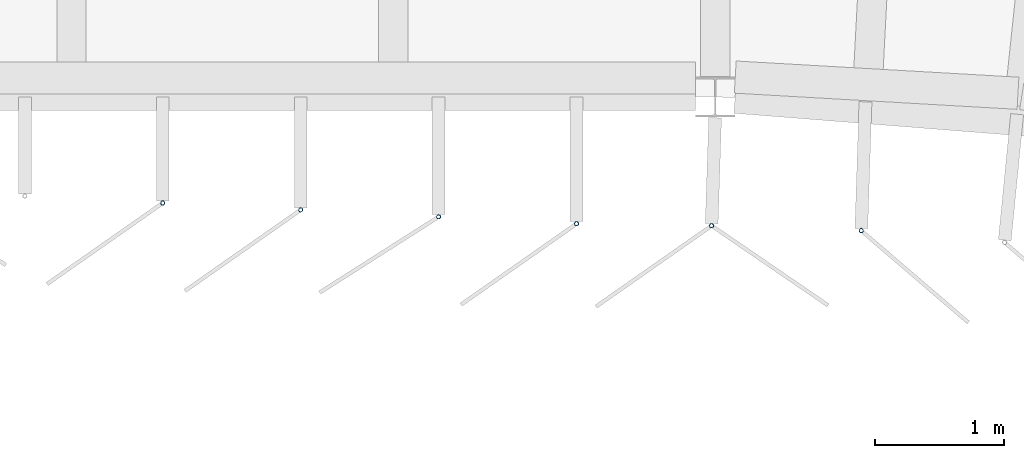
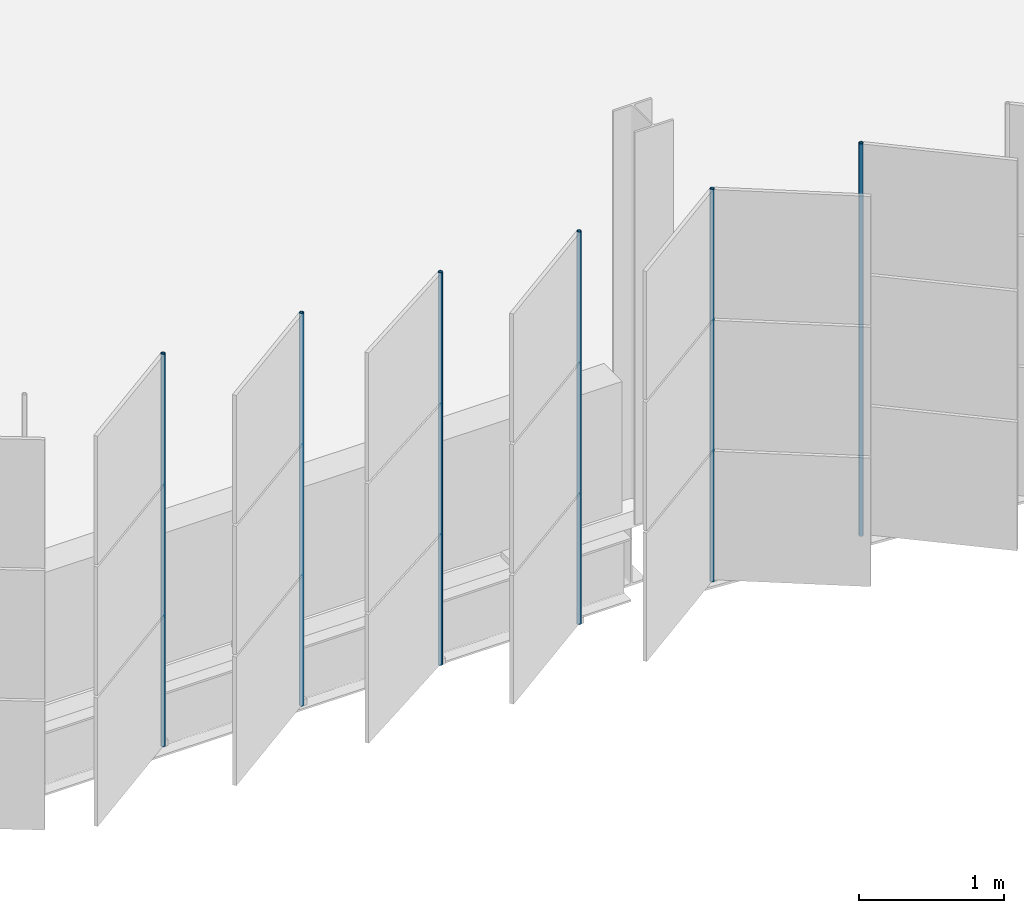
# One storey, part 123 of 214: 6 discrete accessories.
"""IFC4 building model written with IfcOpenShell, lengths in metres."""

import ifcopenshell
import ifcopenshell.guid

model = None  # the IFC model being written
_history = None  # IfcOwnerHistory: only IFC2X3 demands one
_inside = {}  # id of a spatial element -> (the spatial element, [elements in it])
_under = {}  # id of a project, library or spatial element -> (it, [spatial elements below it])
_declared = {}  # id of a project -> (the project, [libraries it declares])
_typed = {}  # id of a type object -> (the type object, [elements of that type])
_made_of = {}  # id of a material, layer set ... -> (it, [elements and type objects made of it])


def new_model(schema):
    """Start an empty IFC model of exactly this schema.

    Asked for "IFC4X3", IfcOpenShell would pick the latest addendum, in which some entities
    have other attributes; the version numbers below select the first issue.
    IFC2X3 requires an IfcOwnerHistory on every rooted entity: one is made here for all.
    """
    global model, _history
    if schema == "IFC4X3":
        model = ifcopenshell.file(schema_version=(4, 3, 0, 0))
    else:
        model = ifcopenshell.file(schema=schema)
    _inside.clear()
    _under.clear()
    _declared.clear()
    _typed.clear()
    _made_of.clear()
    _history = None
    if model.schema == "IFC2X3":
        org = make("IfcOrganization", Name="unknown")
        user = make(
            "IfcPersonAndOrganization",
            ThePerson=make("IfcPerson", FamilyName="unknown"),
            TheOrganization=org,
        )
        app = make(
            "IfcApplication",
            ApplicationDeveloper=org,
            Version="unknown",
            ApplicationFullName="unknown",
            ApplicationIdentifier="unknown",
        )
        _history = make(
            "IfcOwnerHistory",
            OwningUser=user,
            OwningApplication=app,
            ChangeAction="ADDED",
            CreationDate=0,
        )
    return model


def make(cls, **values):
    """One entity of the class cls with the attributes given. An attribute that is None is left unset."""
    return model.create_entity(
        cls, **{name: value for name, value in values.items() if value is not None}
    )


def rooted(cls, **values):
    """An entity with a GlobalId (a new one), such as an element, a storey or a relation."""
    return make(cls, GlobalId=ifcopenshell.guid.new(), OwnerHistory=_history, **values)


def si_unit(unit_type, name, prefix=None):
    """IfcSIUnit, for example si_unit("LENGTHUNIT", "METRE", prefix="MILLI")."""
    return make("IfcSIUnit", UnitType=unit_type, Prefix=prefix, Name=name)


def assignment(units):
    """IfcUnitAssignment: the units of a project."""
    return None if units is None else make("IfcUnitAssignment", Units=units)


def point(xyz):
    """IfcCartesianPoint."""
    return None if xyz is None else make("IfcCartesianPoint", Coordinates=xyz)


def direction(xyz):
    """IfcDirection."""
    return None if xyz is None else make("IfcDirection", DirectionRatios=xyz)


def frame(location, z_axis=None, x_axis=None):
    """IfcAxis2Placement3D, a coordinate frame: its origin and axes. An axis left out is left unset."""
    return make(
        "IfcAxis2Placement3D",
        Location=point(location),
        Axis=direction(z_axis),
        RefDirection=direction(x_axis),
    )


def frame_2d(location, x_axis=None):
    """IfcAxis2Placement2D, a coordinate frame in the plane: its origin and x axis."""
    return make(
        "IfcAxis2Placement2D", Location=point(location), RefDirection=direction(x_axis)
    )


def origin():
    """The frame at (0, 0, 0) with its axes left unset."""
    return frame((0.0, 0.0, 0.0))


def origin_2d():
    """The frame at (0, 0) in the plane with its x axis left unset."""
    return frame_2d((0.0, 0.0))


def place(relative_to, where):
    """IfcLocalPlacement: puts the frame where relative to a parent placement (None: the world)."""
    return make(
        "IfcLocalPlacement", PlacementRelTo=relative_to, RelativePlacement=where
    )


def context(
    kind, dimensions, precision=None, world=None, true_north=None, identifier=None
):
    """IfcGeometricRepresentationContext, for example the 3D "Model" context."""
    return make(
        "IfcGeometricRepresentationContext",
        ContextIdentifier=identifier,
        ContextType=kind,
        CoordinateSpaceDimension=dimensions,
        Precision=precision,
        WorldCoordinateSystem=world,
        TrueNorth=true_north,
    )


def subcontext(parent, identifier, kind, view, scale=None):
    """IfcGeometricRepresentationSubContext, for example "Body" below "Model"."""
    return make(
        "IfcGeometricRepresentationSubContext",
        ContextIdentifier=identifier,
        ContextType=kind,
        ParentContext=parent,
        TargetScale=scale,
        TargetView=view,
    )


def project(units=None, contexts=None):
    """IfcProject with its units and contexts."""
    return rooted(
        "IfcProject",
        Name="project",
        RepresentationContexts=contexts,
        UnitsInContext=assignment(units),
    )


def spatial(cls, under=None, at=None, **own):
    """A site, building, storey or space (cls), placed at a placement, below another one or the project."""
    s = rooted(cls, ObjectPlacement=at, **own)
    if under is not None:
        _under.setdefault(under.id(), (under, []))[1].append(s)
    return s


def profile(cls, at=None, kind="AREA", **sizes):
    """A parametric profile (cls). Its sizes go by their IFC names, for example OverallWidth=200.0."""
    return make(cls, ProfileType=kind, Position=at, **sizes)


def hollow_circle(**sizes):
    """IfcCircleHollowProfileDef."""
    return profile("IfcCircleHollowProfileDef", **sizes)


def extrude(swept, where, along, depth):
    """IfcExtrudedAreaSolid: the profile swept, set in the frame where, extruded along a direction by depth."""
    return make(
        "IfcExtrudedAreaSolid",
        SweptArea=swept,
        Position=where,
        ExtrudedDirection=direction(along),
        Depth=depth,
    )


def shape(context_of_items, identifier, shape_type, items):
    """IfcShapeRepresentation: the items that make up one representation, for example the "Body"."""
    return make(
        "IfcShapeRepresentation",
        ContextOfItems=context_of_items,
        RepresentationIdentifier=identifier,
        RepresentationType=shape_type,
        Items=items,
    )


def material(Name=None, Category=None):
    """IfcMaterial."""
    return make("IfcMaterial", Name=Name, Category=Category)


def material_profile(
    of_material, cross_section, Name=None, Category=None, Priority=None
):
    """IfcMaterialProfile: a cross section and its material."""
    return make(
        "IfcMaterialProfile",
        Name=Name,
        Material=of_material,
        Profile=cross_section,
        Priority=Priority,
        Category=Category,
    )


def profile_set(profiles, Name=None, composite=None):
    """IfcMaterialProfileSet."""
    return make(
        "IfcMaterialProfileSet",
        Name=Name,
        MaterialProfiles=profiles,
        CompositeProfile=composite,
    )


def made_of(thing, what):
    """Note that an element or type object is made of a material, layer set ...; save() writes the relation."""
    if what is not None:
        _made_of.setdefault(what.id(), (what, []))[1].append(thing)
    return thing


def type_object(cls, material=None, **own):
    """A type object (cls), such as IfcWallType, which elements share."""
    return made_of(rooted(cls, **own), material)


def element(
    cls,
    number,
    at=None,
    inside=None,
    cuts=None,
    type_object=None,
    material=None,
    context=None,
    identifier="Body",
    shape_type=None,
    held_by="IfcProductDefinitionShape",
    body=None,
    shapes=None,
    **own,
):
    """One element of the class cls, such as IfcWall. Its Tag is "e" and its number.

    at: its placement. inside: the storey or other place that contains it. cuts: it is an
    opening in that element (IfcRelVoidsElement). A single representation is given by context,
    identifier, shape_type and body (its items); several are given by shapes. held_by: the class
    of the entity that holds the representations. save() writes the other relations.
    """
    e = rooted(cls, Tag="e%d" % number, ObjectPlacement=at, **own)
    if body is not None:
        shapes = [shape(context, identifier, shape_type, body)]
    if shapes is not None:
        e.Representation = make(held_by, Representations=shapes)
    if inside is not None:
        _inside.setdefault(inside.id(), (inside, []))[1].append(e)
    if cuts is not None:
        rooted(
            "IfcRelVoidsElement", RelatingBuildingElement=cuts, RelatedOpeningElement=e
        )
    if type_object is not None:
        _typed.setdefault(type_object.id(), (type_object, []))[1].append(e)
    return made_of(e, material)


def aggregate(whole, parts):
    """IfcRelAggregates: a whole, such as a stair, and the parts it consists of."""
    return rooted("IfcRelAggregates", RelatingObject=whole, RelatedObjects=parts)


def save(model, path):
    """Write the relations noted so far, then the file.

    IfcRelAggregates (storeys below a building ...), IfcRelContainedInSpatialStructure (elements
    in a storey), IfcRelDefinesByType, IfcRelAssociatesMaterial and IfcRelDeclares: one each for
    every whole, place, type object, material and project.
    """
    for whole, parts in _under.values():
        aggregate(whole, parts)
    for where, things in _inside.values():
        rooted(
            "IfcRelContainedInSpatialStructure",
            RelatedElements=things,
            RelatingStructure=where,
        )
    for kind, things in _typed.values():
        rooted("IfcRelDefinesByType", RelatedObjects=things, RelatingType=kind)
    for what, things in _made_of.values():
        rooted("IfcRelAssociatesMaterial", RelatedObjects=things, RelatingMaterial=what)
    for by, libraries in _declared.values():
        rooted("IfcRelDeclares", RelatingContext=by, RelatedDefinitions=libraries)
    model.write(path)


model = new_model("IFC4")

# Units and contexts
model_context = context("Model", 3, precision=1e-05, world=origin(), true_north=direction((0.0, 1.0)))
body_context = subcontext(model_context, "Body", "Model", "MODEL_VIEW")
ifc_project = project(units=[si_unit("LENGTHUNIT", "METRE"), si_unit("AREAUNIT", "SQUARE_METRE"), si_unit("VOLUMEUNIT", "CUBIC_METRE"), si_unit("PLANEANGLEUNIT", "RADIAN"), si_unit("MASSUNIT", "GRAM", prefix="KILO")], contexts=[model_context])

# Site, building, storey
site_placement = place(None, origin())
site = spatial("IfcSite", under=ifc_project, at=site_placement, CompositionType="ELEMENT")
building_placement = place(site_placement, origin())
building = spatial("IfcBuilding", under=site, at=building_placement, Name="Parallax Yard Mobility Hub", CompositionType="ELEMENT")
storey_placement = place(building_placement, frame((0.0, 0.0, 3.300048828125)))
storey = spatial("IfcBuildingStorey", under=building, at=storey_placement, Name="L01", CompositionType="ELEMENT", Elevation=3.300048828125)

# Discrete accessories
ifc_material = material(Name="Steel ASTM A500 Gr C, hot-dip galvanised", Category="steel")
ifc_material_profile = material_profile(ifc_material, hollow_circle(Radius=0.016845703125, WallThickness=0.003173828125, at=origin_2d()), Name="CHS 33.7x3.2")
ifc_profile_set = profile_set([ifc_material_profile], Name="Steel ASTM A500 Gr C, hot-dip galvanised")
discrete_accessory_type = type_object("IfcDiscreteAccessoryType", Name="Hinge post CHS 33.7x3.2", PredefinedType="BRACKET", material=ifc_profile_set)
for number, where, z_axis, x_axis, name in (
    (1, (168.208984375, 111.6767578125, 0.0), (0.0, 0.0, 1.0), (1.0, 0.0, 0.0), "Hinge post bay 17.4 level L01"),
    (2, (169.280517578125, 111.623291015625, 0.0), (0.0, 0.0, 1.0), (1.0, 0.0, 0.0), "Hinge post bay 17.5 level L01"),
    (3, (170.35205078125, 111.569580078125, 0.0), (0.0, 0.0, 1.0), (1.0, 0.0, 0.0), "Hinge post bay 17.6 level L01"),
    (4, (171.423583984375, 111.51611328125, 0.0), (0.0, 0.0, 1.0), (1.0, 0.0, 0.0), "Hinge post bay 17.7 level L01"),
    (5, (172.47216796875, 111.50048828125, 0.0), (0.0, 0.0, 1.0), (1.0, 0.0, 0.0), "Hinge post bay 18.1 level L01"),
    (6, (173.634521484375, 111.46240234375, 0.0), (0.0, 0.0, 1.0), (1.0, 0.0, 0.0), "Hinge post bay 18.2 level L01"),
):
    element("IfcDiscreteAccessory", number, at=place(storey_placement, frame(where, z_axis=z_axis, x_axis=x_axis)), inside=storey, type_object=discrete_accessory_type, Name=name, PredefinedType="BRACKET", context=body_context, shape_type="SweptSolid", body=[
        extrude(hollow_circle(Radius=0.016845703125, WallThickness=0.003173828125, at=origin_2d()), origin(), (0.0, 0.0, 1.0), 3.300048828125),
    ])

save(model, "model.ifc")
